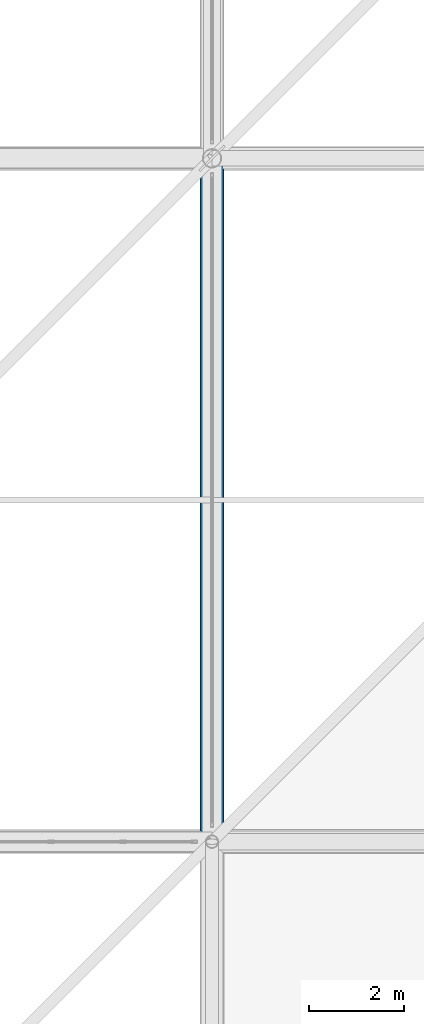
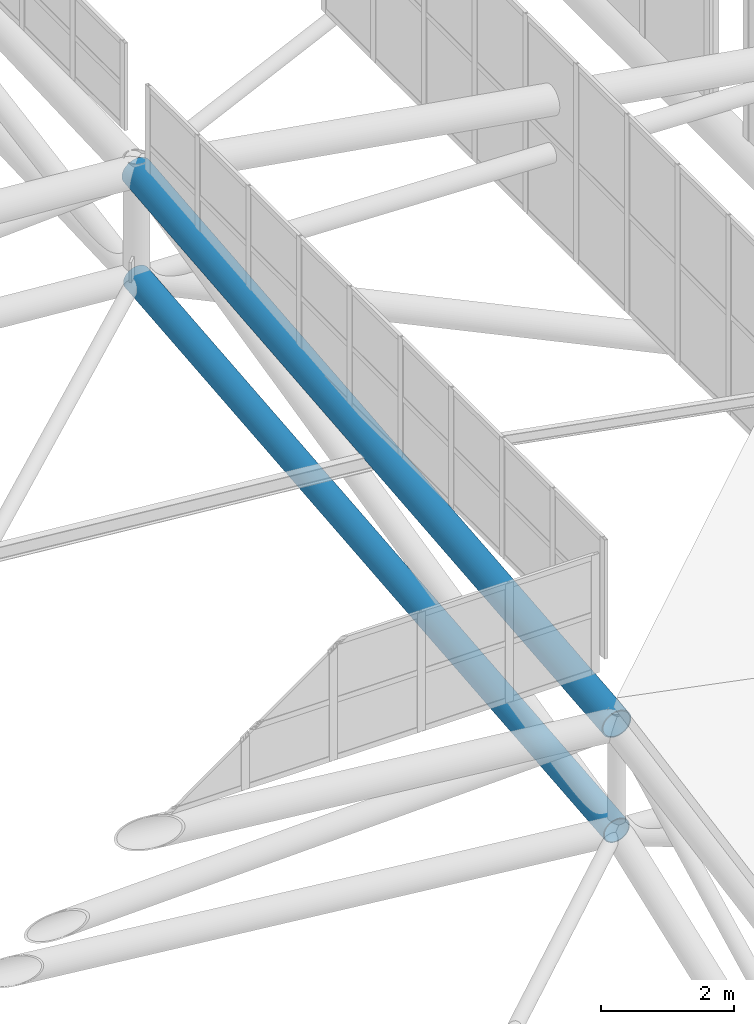
# One storey, part 138 of 397: 2 beams.
"""IFC4 building model written with IfcOpenShell, lengths in metres."""

from ifc_helpers import new_model, si_unit, direction, frame, origin, origin_2d, place, context, subcontext, project, spatial, hollow_circle, extrude, material, material_profile, profile_set, type_object, element, save


model = new_model("IFC4")

# Units and contexts
model_context = context("Model", 3, precision=1e-05, world=origin(), true_north=direction((0.0, 1.0)))
body_context = subcontext(model_context, "Body", "Model", "MODEL_VIEW")
ifc_project = project(units=[si_unit("LENGTHUNIT", "METRE"), si_unit("AREAUNIT", "SQUARE_METRE"), si_unit("VOLUMEUNIT", "CUBIC_METRE"), si_unit("PLANEANGLEUNIT", "RADIAN"), si_unit("MASSUNIT", "GRAM", prefix="KILO")], contexts=[model_context])

# Site, building, storey
site_placement = place(None, origin())
site = spatial("IfcSite", under=ifc_project, at=site_placement, CompositionType="ELEMENT")
building_placement = place(site_placement, origin())
building = spatial("IfcBuilding", under=site, at=building_placement, Name="Qandorah Velis Arena", CompositionType="ELEMENT")
storey_placement = place(building_placement, frame((0.0, 0.0, 27.5)))
storey = spatial("IfcBuildingStorey", under=building, at=storey_placement, Name="RF", CompositionType="ELEMENT", Elevation=27.5)

# Beams
ifc_material = material(Name="Steel S355", Category="steel")
ifc_material_profile_1 = material_profile(ifc_material, hollow_circle(Radius=0.228515625, WallThickness=0.01611328125, at=origin_2d()), Name="CHS 457x16")
ifc_profile_set_1 = profile_set([ifc_material_profile_1], Name="Steel S355")
beam_type_1 = type_object("IfcBeamType", Name="STR-SFC-CHS457X16", PredefinedType="USERDEFINED", material=ifc_profile_set_1)
beam_1_placement = place(storey_placement, frame((100.800048828125, 28.800048828125, 5.515380859375), z_axis=(0.0, 0.99535799561, 0.096241677952), x_axis=(-1.0, 0.0, 0.0)))
element("IfcBeam", 1, at=beam_1_placement, inside=storey, type_object=beam_type_1, Name="Space frame roof truss bottom chord Y 6.1", ObjectType="ROOF TRUSS", PredefinedType="USERDEFINED", context=body_context, shape_type="SweptSolid", body=[
    extrude(hollow_circle(Radius=0.228515625, WallThickness=0.01611328125, at=origin_2d()), origin(), (0.0, 0.0, 1.0), 14.467041015625),
])
ifc_material_profile_2 = material_profile(ifc_material, hollow_circle(Radius=0.25390625, WallThickness=0.02001953125, at=origin_2d()), Name="CHS 508x20")
ifc_profile_set_2 = profile_set([ifc_material_profile_2], Name="Steel S355")
beam_type_2 = type_object("IfcBeamType", Name="STR-SFC-CHS508X20", PredefinedType="USERDEFINED", material=ifc_profile_set_2)
beam_2_placement = place(storey_placement, frame((100.800048828125, 28.800048828125, 7.46533203125), z_axis=(0.0, 0.99535799561, 0.096241677952), x_axis=(-1.0, 0.0, 0.0)))
element("IfcBeam", 2, at=beam_2_placement, inside=storey, type_object=beam_type_2, Name="Space frame roof truss top chord Y 6.1", ObjectType="ROOF TRUSS", PredefinedType="USERDEFINED", context=body_context, shape_type="SweptSolid", body=[
    extrude(hollow_circle(Radius=0.25390625, WallThickness=0.02001953125, at=origin_2d()), origin(), (0.0, 0.0, 1.0), 14.467041015625),
])

save(model, "model.ifc")
